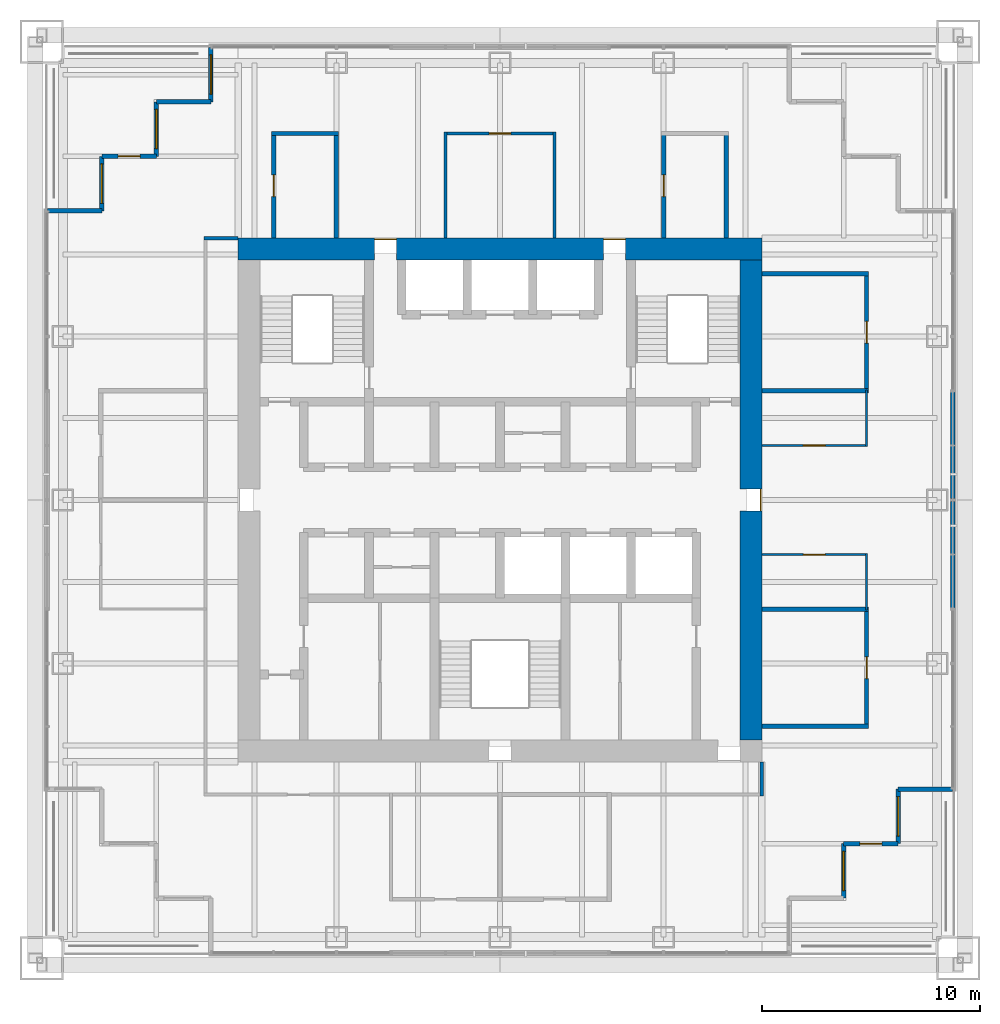
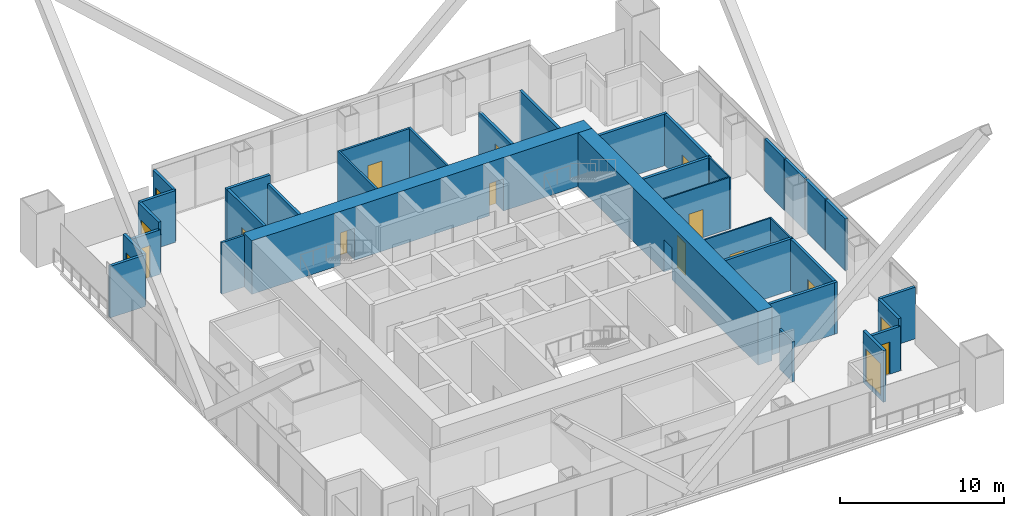
# One storey, part 14 of 17: 36 walls, 12 doors, 5 windows, 17 openings.
"""IFC4 building model written with IfcOpenShell, lengths in metres."""

from ifc_helpers import new_model, si_unit, direction, frame, frame_2d, origin, place, context, subcontext, project, spatial, rectangle, extrude, material, layer, layer_set, type_object, element, fill, save


model = new_model("IFC4")

# Units and contexts
model_context = context("Model", 3, precision=1e-05, world=origin(), true_north=direction((0.0, 1.0)))
body_context = subcontext(model_context, "Body", "Model", "MODEL_VIEW")
ifc_project = project(units=[si_unit("LENGTHUNIT", "METRE"), si_unit("AREAUNIT", "SQUARE_METRE"), si_unit("VOLUMEUNIT", "CUBIC_METRE"), si_unit("PLANEANGLEUNIT", "RADIAN"), si_unit("MASSUNIT", "GRAM", prefix="KILO")], contexts=[model_context])

# Site, building, storey
site_placement = place(None, origin())
site = spatial("IfcSite", under=ifc_project, at=site_placement, CompositionType="ELEMENT")
building_placement = place(site_placement, origin())
building = spatial("IfcBuilding", under=site, at=building_placement, Name="Tarangal Relay Tower", CompositionType="ELEMENT")
storey_placement = place(building_placement, frame((0.0, 0.0, 315.89990234375)))
storey = spatial("IfcBuildingStorey", under=building, at=storey_placement, Name="L70", CompositionType="ELEMENT", Elevation=315.89990234375)

# Walls
ifc_material_1 = material(Name="Two layers gypsum board each side on twin steel studs, mineral wool", Category="steel")
ifc_layer_1 = layer(ifc_material_1, 0.199951171875)
ifc_layer_set_1 = layer_set([ifc_layer_1], Name="Acoustic partition 200")
wall_type_1 = type_object("IfcWallType", Name="Acoustic partition 200", PredefinedType="PARTITIONING", material=ifc_layer_set_1)
for number, where, z_axis, x_axis, name in (
    (1, (12.0, -10.375, 0.0), (0.0, 0.0, 1.0), (1.0, 0.0, 0.0), "Partition PT2 L70"),
    (2, (12.0, -5.0, 0.0), (0.0, 0.0, 1.0), (1.0, 0.0, 0.0), "Partition PT2 L70"),
    (3, (12.0, 5.0, 0.0), (0.0, 0.0, 1.0), (1.0, 0.0, 0.0), "Partition PT2 L70"),
    (4, (12.0, 10.375, 0.0), (0.0, 0.0, 1.0), (1.0, 0.0, 0.0), "Partition PT2 L70"),
):
    element("IfcWall", number, at=place(storey_placement, frame(where, z_axis=z_axis, x_axis=x_axis)), inside=storey, type_object=wall_type_1, Name=name, PredefinedType="PARTITIONING", context=body_context, shape_type="SweptSolid", body=[
        extrude(rectangle(XDim=4.89990234375, YDim=0.199951171875, at=frame_2d((2.449951171875, 0.0))), origin(), (0.0, 0.0, 1.0), 3.85009765625),
    ])
wall_1_placement = place(storey_placement, frame((-10.47509765625, 16.800048828125, 0.0), z_axis=(0.0, 0.0, 1.0), x_axis=(1.0, 0.0, 0.0)))
element("IfcWall", 5, at=wall_1_placement, inside=storey, type_object=wall_type_1, Name="Partition PT2 L70", PredefinedType="PARTITIONING", context=body_context, shape_type="SweptSolid", body=[
    extrude(rectangle(XDim=3.0751953125, YDim=0.199951171875, at=frame_2d((1.53759765625, 0.0))), origin(), (0.0, 0.0, 1.0), 3.85009765625),
])

# Wall, opening, door
wall_2_placement = place(storey_placement, frame((-10.375, 12.0, 0.0), z_axis=(0.0, 0.0, 1.0), x_axis=(0.0, 1.0, 0.0)))
wall_2 = element("IfcWall", 6, at=wall_2_placement, inside=storey, type_object=wall_type_1, Name="Partition PT2 L70", PredefinedType="PARTITIONING", context=body_context, shape_type="SweptSolid", body=[
    extrude(rectangle(XDim=4.89990234375, YDim=0.199951171875, at=frame_2d((2.449951171875, 0.0))), origin(), (0.0, 0.0, 1.0), 3.85009765625),
])
opening_1_placement = place(wall_2_placement, frame((1.89990234375, 0.0, 0.0)))
opening_1 = element("IfcOpeningElement", 7, at=opening_1_placement, cuts=wall_2, Name="Opening D2", PredefinedType="OPENING", context=body_context, shape_type="SweptSolid", body=[
    extrude(rectangle(XDim=1.0, YDim=2.10009765625, at=frame_2d((0.5, 1.050048828125))), frame((0.0, 0.10986328125, 0.0), z_axis=(0.0, -1.0, 0.0), x_axis=(1.0, 0.0, 0.0)), (0.0, 0.0, 1.0), 0.219970703125),
])
ifc_material_2 = material(Name="Hardwood door", Category="wood")
door_type_1 = type_object("IfcDoorType", Name="Door 1000 x 2100", OperationType="SINGLE_SWING_LEFT", PredefinedType="DOOR", material=ifc_material_2)
door_1_placement = place(opening_1_placement, origin())
door_1 = element("IfcDoor", 8, at=door_1_placement, inside=storey, type_object=door_type_1, Name="Door D2 to phone room L70-02", OperationType="SINGLE_SWING_LEFT", OverallHeight=2.10009765625, OverallWidth=1.0, PredefinedType="DOOR", context=body_context, shape_type="SweptSolid", body=[
    extrude(rectangle(XDim=1.0, YDim=2.10009765625, at=frame_2d((0.5, 1.050048828125))), frame((0.0, 0.02490234375, 0.0), z_axis=(0.0, -1.0, 0.0), x_axis=(1.0, 0.0, 0.0)), (0.0, 0.0, 1.0), 0.050048828125),
])
fill(opening_1, door_1)

# Wall
wall_3_placement = place(storey_placement, frame((-7.5, 12.0, 0.0), z_axis=(0.0, 0.0, 1.0), x_axis=(0.0, 1.0, 0.0)))
element("IfcWall", 9, at=wall_3_placement, inside=storey, type_object=wall_type_1, Name="Partition PT2 L70", PredefinedType="PARTITIONING", context=body_context, shape_type="SweptSolid", body=[
    extrude(rectangle(XDim=4.89990234375, YDim=0.199951171875, at=frame_2d((2.449951171875, 0.0))), origin(), (0.0, 0.0, 1.0), 3.2431640625),
])

# Wall, opening, door
wall_4_placement = place(storey_placement, frame((7.5, 12.0, 0.0), z_axis=(0.0, 0.0, 1.0), x_axis=(0.0, 1.0, 0.0)))
wall_4 = element("IfcWall", 10, at=wall_4_placement, inside=storey, type_object=wall_type_1, Name="Partition PT2 L70", PredefinedType="PARTITIONING", context=body_context, shape_type="SweptSolid", body=[
    extrude(rectangle(XDim=4.89990234375, YDim=0.199951171875, at=frame_2d((2.449951171875, 0.0))), origin(), (0.0, 0.0, 1.0), 3.2431640625),
])
opening_2_placement = place(wall_4_placement, frame((1.89990234375, 0.0, 0.0)))
opening_2 = element("IfcOpeningElement", 11, at=opening_2_placement, cuts=wall_4, Name="Opening D2", PredefinedType="OPENING", context=body_context, shape_type="SweptSolid", body=[
    extrude(rectangle(XDim=1.0, YDim=2.10009765625, at=frame_2d((0.5, 1.050048828125))), frame((0.0, 0.10986328125, 0.0), z_axis=(0.0, -1.0, 0.0), x_axis=(1.0, 0.0, 0.0)), (0.0, 0.0, 1.0), 0.219970703125),
])
door_2_placement = place(opening_2_placement, origin())
door_2 = element("IfcDoor", 12, at=door_2_placement, inside=storey, type_object=door_type_1, Name="Door D2 to phone room L70-04", OperationType="SINGLE_SWING_LEFT", OverallHeight=2.10009765625, OverallWidth=1.0, PredefinedType="DOOR", context=body_context, shape_type="SweptSolid", body=[
    extrude(rectangle(XDim=1.0, YDim=2.10009765625, at=frame_2d((0.5, 1.050048828125))), frame((0.0, 0.02490234375, 0.0), z_axis=(0.0, -1.0, 0.0), x_axis=(1.0, 0.0, 0.0)), (0.0, 0.0, 1.0), 0.050048828125),
])
fill(opening_2, door_2)

# Wall
wall_5_placement = place(storey_placement, frame((10.375, 12.0, 0.0), z_axis=(0.0, 0.0, 1.0), x_axis=(0.0, 1.0, 0.0)))
element("IfcWall", 13, at=wall_5_placement, inside=storey, type_object=wall_type_1, Name="Partition PT2 L70", PredefinedType="PARTITIONING", context=body_context, shape_type="SweptSolid", body=[
    extrude(rectangle(XDim=4.89990234375, YDim=0.199951171875, at=frame_2d((2.449951171875, 0.0))), origin(), (0.0, 0.0, 1.0), 3.85009765625),
])

# Wall, opening, door
wall_6_placement = place(storey_placement, frame((16.800048828125, -10.47509765625, 0.0), z_axis=(0.0, 0.0, 1.0), x_axis=(0.0, 1.0, 0.0)))
wall_6 = element("IfcWall", 14, at=wall_6_placement, inside=storey, type_object=wall_type_1, Name="Partition PT2 L70", PredefinedType="PARTITIONING", context=body_context, shape_type="SweptSolid", body=[
    extrude(rectangle(XDim=5.5751953125, YDim=0.199951171875, at=frame_2d((2.78759765625, 0.0))), origin(), (0.0, 0.0, 1.0), 3.85009765625),
])
opening_3_placement = place(wall_6_placement, frame((2.28759765625, 0.0, 0.0)))
opening_3 = element("IfcOpeningElement", 15, at=opening_3_placement, cuts=wall_6, Name="Opening D2", PredefinedType="OPENING", context=body_context, shape_type="SweptSolid", body=[
    extrude(rectangle(XDim=1.0, YDim=2.10009765625, at=frame_2d((0.5, 1.050048828125))), frame((0.0, 0.10986328125, 0.0), z_axis=(0.0, -1.0, 0.0), x_axis=(1.0, 0.0, 0.0)), (0.0, 0.0, 1.0), 0.219970703125),
])
door_3_placement = place(opening_3_placement, origin())
door_3 = element("IfcDoor", 16, at=door_3_placement, inside=storey, type_object=door_type_1, Name="Door D2 to meeting room L70-08", OperationType="SINGLE_SWING_LEFT", OverallHeight=2.10009765625, OverallWidth=1.0, PredefinedType="DOOR", context=body_context, shape_type="SweptSolid", body=[
    extrude(rectangle(XDim=1.0, YDim=2.10009765625, at=frame_2d((0.5, 1.050048828125))), frame((0.0, 0.02490234375, 0.0), z_axis=(0.0, -1.0, 0.0), x_axis=(1.0, 0.0, 0.0)), (0.0, 0.0, 1.0), 0.050048828125),
])
fill(opening_3, door_3)

wall_7_placement = place(storey_placement, frame((16.800048828125, 4.89990234375, 0.0), z_axis=(0.0, 0.0, 1.0), x_axis=(0.0, 1.0, 0.0)))
wall_7 = element("IfcWall", 17, at=wall_7_placement, inside=storey, type_object=wall_type_1, Name="Partition PT2 L70", PredefinedType="PARTITIONING", context=body_context, shape_type="SweptSolid", body=[
    extrude(rectangle(XDim=5.5751953125, YDim=0.199951171875, at=frame_2d((2.78759765625, 0.0))), origin(), (0.0, 0.0, 1.0), 3.85009765625),
])
opening_4_placement = place(wall_7_placement, frame((2.28759765625, 0.0, 0.0)))
opening_4 = element("IfcOpeningElement", 18, at=opening_4_placement, cuts=wall_7, Name="Opening D2", PredefinedType="OPENING", context=body_context, shape_type="SweptSolid", body=[
    extrude(rectangle(XDim=1.0, YDim=2.10009765625, at=frame_2d((0.5, 1.050048828125))), frame((0.0, 0.10986328125, 0.0), z_axis=(0.0, -1.0, 0.0), x_axis=(1.0, 0.0, 0.0)), (0.0, 0.0, 1.0), 0.219970703125),
])
door_4_placement = place(opening_4_placement, origin())
door_4 = element("IfcDoor", 19, at=door_4_placement, inside=storey, type_object=door_type_1, Name="Door D2 to meeting room L70-05", OperationType="SINGLE_SWING_LEFT", OverallHeight=2.10009765625, OverallWidth=1.0, PredefinedType="DOOR", context=body_context, shape_type="SweptSolid", body=[
    extrude(rectangle(XDim=1.0, YDim=2.10009765625, at=frame_2d((0.5, 1.050048828125))), frame((0.0, 0.02490234375, 0.0), z_axis=(0.0, -1.0, 0.0), x_axis=(1.0, 0.0, 0.0)), (0.0, 0.0, 1.0), 0.050048828125),
])
fill(opening_4, door_4)

# Wall, openings, doors
ifc_material_3 = material(Name="Concrete fc' 60 MPa", Category="concrete")
ifc_layer_2 = layer(ifc_material_3, 1.0)
ifc_layer_set_2 = layer_set([ifc_layer_2], Name="Core wall 1000")
wall_type_2 = type_object("IfcWallType", Name="Core wall 1000", PredefinedType="SHEAR", material=ifc_layer_set_2)
wall_8_placement = place(storey_placement, frame((-12.0, 11.5, 0.0), z_axis=(0.0, 0.0, 1.0), x_axis=(1.0, 0.0, 0.0)))
wall_8 = element("IfcWall", 20, at=wall_8_placement, inside=storey, type_object=wall_type_2, Name="Core wall N L70", PredefinedType="SHEAR", context=body_context, shape_type="SweptSolid", body=[
    extrude(rectangle(XDim=24.0, YDim=1.0, at=frame_2d((12.0, 0.0))), origin(), (0.0, 0.0, 1.0), 4.0),
])
opening_5_placement = place(wall_8_placement, frame((6.25, 0.0, 0.0)))
opening_5 = element("IfcOpeningElement", 21, at=opening_5_placement, cuts=wall_8, Name="Opening FD3", PredefinedType="OPENING", context=body_context, shape_type="SweptSolid", body=[
    extrude(rectangle(XDim=1.0, YDim=2.39990234375, at=frame_2d((0.5, 1.199951171875))), frame((0.0, 0.510009765625, 0.0), z_axis=(0.0, -1.0, 0.0), x_axis=(1.0, 0.0, 0.0)), (0.0, 0.0, 1.0), 1.02001953125),
])
opening_6_placement = place(wall_8_placement, frame((16.75, 0.0, 0.0)))
opening_6 = element("IfcOpeningElement", 22, at=opening_6_placement, cuts=wall_8, Name="Opening FD3", PredefinedType="OPENING", context=body_context, shape_type="SweptSolid", body=[
    extrude(rectangle(XDim=1.0, YDim=2.39990234375, at=frame_2d((0.5, 1.199951171875))), frame((0.0, 0.510009765625, 0.0), z_axis=(0.0, -1.0, 0.0), x_axis=(1.0, 0.0, 0.0)), (0.0, 0.0, 1.0), 1.02001953125),
])
ifc_material_4 = material(Name="Steel door with hardwood frame", Category="steel")
door_type_2 = type_object("IfcDoorType", Name="Fire door 1000 x 2400 core entry", OperationType="SINGLE_SWING_RIGHT", PredefinedType="DOOR", material=ifc_material_4)
door_5_placement = place(opening_5_placement, origin())
door_5 = element("IfcDoor", 23, at=door_5_placement, inside=storey, type_object=door_type_2, Name="Core entry door north west L70", OperationType="SINGLE_SWING_RIGHT", OverallHeight=2.39990234375, OverallWidth=1.0, PredefinedType="DOOR", context=body_context, shape_type="SweptSolid", body=[
    extrude(rectangle(XDim=1.0, YDim=2.39990234375, at=frame_2d((0.5, 1.199951171875))), frame((0.0, 0.48486328125, 0.0), z_axis=(0.0, -1.0, 0.0), x_axis=(1.0, 0.0, 0.0)), (0.0, 0.0, 1.0), 0.050048828125),
])
fill(opening_5, door_5)
door_6_placement = place(opening_6_placement, origin())
door_6 = element("IfcDoor", 24, at=door_6_placement, inside=storey, type_object=door_type_2, Name="Core entry door north east L70", OperationType="SINGLE_SWING_RIGHT", OverallHeight=2.39990234375, OverallWidth=1.0, PredefinedType="DOOR", context=body_context, shape_type="SweptSolid", body=[
    extrude(rectangle(XDim=1.0, YDim=2.39990234375, at=frame_2d((0.5, 1.199951171875))), frame((0.0, 0.48486328125, 0.0), z_axis=(0.0, -1.0, 0.0), x_axis=(1.0, 0.0, 0.0)), (0.0, 0.0, 1.0), 0.050048828125),
])
fill(opening_6, door_6)

# Wall, opening, door
wall_9_placement = place(storey_placement, frame((11.5, 11.0, 0.0), z_axis=(0.0, 0.0, 1.0), x_axis=(0.0, -1.0, 0.0)))
wall_9 = element("IfcWall", 25, at=wall_9_placement, inside=storey, type_object=wall_type_2, Name="Core wall E L70", PredefinedType="SHEAR", context=body_context, shape_type="SweptSolid", body=[
    extrude(rectangle(XDim=22.0, YDim=1.0, at=frame_2d((11.0, 0.0))), origin(), (0.0, 0.0, 1.0), 4.0),
])
opening_7_placement = place(wall_9_placement, frame((10.5, 0.0, 0.0)))
opening_7 = element("IfcOpeningElement", 26, at=opening_7_placement, cuts=wall_9, Name="Opening FD3", PredefinedType="OPENING", context=body_context, shape_type="SweptSolid", body=[
    extrude(rectangle(XDim=1.0, YDim=2.39990234375, at=frame_2d((0.5, 1.199951171875))), frame((0.0, 0.510009765625, 0.0), z_axis=(0.0, -1.0, 0.0), x_axis=(1.0, 0.0, 0.0)), (0.0, 0.0, 1.0), 1.02001953125),
])
door_7_placement = place(opening_7_placement, origin())
door_7 = element("IfcDoor", 27, at=door_7_placement, inside=storey, type_object=door_type_2, Name="Core entry door east L70", OperationType="SINGLE_SWING_RIGHT", OverallHeight=2.39990234375, OverallWidth=1.0, PredefinedType="DOOR", context=body_context, shape_type="SweptSolid", body=[
    extrude(rectangle(XDim=1.0, YDim=2.39990234375, at=frame_2d((0.5, 1.199951171875))), frame((0.0, 0.48486328125, 0.0), z_axis=(0.0, -1.0, 0.0), x_axis=(1.0, 0.0, 0.0)), (0.0, 0.0, 1.0), 0.050048828125),
])
fill(opening_7, door_7)

# Wall
ifc_material_5 = material(Name="Black metal clad insulated wall", Category="steel")
ifc_layer_3 = layer(ifc_material_5, 0.199951171875)
ifc_layer_set_3 = layer_set([ifc_layer_3], Name="Corner wall metal clad 200")
wall_type_3 = type_object("IfcWallType", Name="Corner wall metal clad 200", PredefinedType="SOLIDWALL", material=ifc_layer_set_3)
wall_10_placement = place(storey_placement, frame((20.75, -13.25, 0.0), z_axis=(0.0, 0.0, 1.0), x_axis=(-1.0, 0.0, 0.0)))
element("IfcWall", 28, at=wall_10_placement, inside=storey, type_object=wall_type_3, Name="Facade wall E facade L70", PredefinedType="SOLIDWALL", context=body_context, shape_type="SweptSolid", body=[
    extrude(rectangle(XDim=2.5, YDim=0.199951171875, at=frame_2d((1.25, 0.0))), origin(), (0.0, 0.0, 1.0), 3.85009765625),
])

# Wall, opening, window
wall_11_placement = place(storey_placement, frame((18.25, -13.25, 0.0), z_axis=(0.0, 0.0, 1.0), x_axis=(0.0, -1.0, 0.0)))
wall_11 = element("IfcWall", 29, at=wall_11_placement, inside=storey, type_object=wall_type_3, Name="Facade wall E facade L70", PredefinedType="SOLIDWALL", context=body_context, shape_type="SweptSolid", body=[
    extrude(rectangle(XDim=2.5, YDim=0.199951171875, at=frame_2d((1.25, 0.0))), origin(), (0.0, 0.0, 1.0), 3.85009765625),
])
opening_8_placement = place(wall_11_placement, frame((0.35009765625, 0.0, 0.300048828125)))
opening_8 = element("IfcOpeningElement", 30, at=opening_8_placement, cuts=wall_11, Name="Opening WN2", PredefinedType="OPENING", context=body_context, shape_type="SweptSolid", body=[
    extrude(rectangle(XDim=1.800048828125, YDim=2.39990234375, at=frame_2d((0.89990234375, 1.199951171875))), frame((0.0, 0.10986328125, 0.0), z_axis=(0.0, -1.0, 0.0), x_axis=(1.0, 0.0, 0.0)), (0.0, 0.0, 1.0), 0.219970703125),
])
ifc_material_6 = material(Name="Dark tinted double glazing in black aluminium frame", Category="aluminium")
window_type = type_object("IfcWindowType", Name="Corner window 1800 x 2400", PartitioningType="SINGLE_PANEL", PredefinedType="WINDOW", material=ifc_material_6)
window_1_placement = place(opening_8_placement, origin())
window_1 = element("IfcWindow", 31, at=window_1_placement, inside=storey, type_object=window_type, Name="Corner window WN2 E facade L70", OverallHeight=2.39990234375, OverallWidth=1.800048828125, PartitioningType="SINGLE_PANEL", PredefinedType="WINDOW", context=body_context, shape_type="SweptSolid", body=[
    extrude(rectangle(XDim=1.800048828125, YDim=2.39990234375, at=frame_2d((0.89990234375, 1.199951171875))), frame((0.0, 0.030029296875, 0.0), z_axis=(0.0, -1.0, 0.0), x_axis=(1.0, 0.0, 0.0)), (0.0, 0.0, 1.0), 0.06005859375),
])
fill(opening_8, window_1)

# Wall, opening, door
wall_12_placement = place(storey_placement, frame((18.25, -15.75, 0.0), z_axis=(0.0, 0.0, 1.0), x_axis=(-1.0, 0.0, 0.0)))
wall_12 = element("IfcWall", 32, at=wall_12_placement, inside=storey, type_object=wall_type_3, Name="Facade wall E facade L70", PredefinedType="SOLIDWALL", context=body_context, shape_type="SweptSolid", body=[
    extrude(rectangle(XDim=2.5, YDim=0.199951171875, at=frame_2d((1.25, 0.0))), origin(), (0.0, 0.0, 1.0), 3.316650390625),
])
opening_9_placement = place(wall_12_placement, frame((0.75, 0.0, 0.0)))
opening_9 = element("IfcOpeningElement", 33, at=opening_9_placement, cuts=wall_12, Name="Opening TD1", PredefinedType="OPENING", context=body_context, shape_type="SweptSolid", body=[
    extrude(rectangle(XDim=1.0, YDim=2.39990234375, at=frame_2d((0.5, 1.199951171875))), frame((0.0, 0.10986328125, 0.0), z_axis=(0.0, -1.0, 0.0), x_axis=(1.0, 0.0, 0.0)), (0.0, 0.0, 1.0), 0.219970703125),
])
ifc_material_7 = material(Name="Aluminium glazed door", Category="aluminium")
door_type_3 = type_object("IfcDoorType", Name="Terrace door 1000 x 2400", OperationType="SINGLE_SWING_RIGHT", PredefinedType="DOOR", material=ifc_material_7)
door_8_placement = place(opening_9_placement, origin())
door_8 = element("IfcDoor", 34, at=door_8_placement, inside=storey, type_object=door_type_3, Name="Terrace door TD1 SE L70", OperationType="SINGLE_SWING_RIGHT", OverallHeight=2.39990234375, OverallWidth=1.0, PredefinedType="DOOR", context=body_context, shape_type="SweptSolid", body=[
    extrude(rectangle(XDim=1.0, YDim=2.39990234375, at=frame_2d((0.5, 1.199951171875))), frame((0.0, 0.02490234375, 0.0), z_axis=(0.0, -1.0, 0.0), x_axis=(1.0, 0.0, 0.0)), (0.0, 0.0, 1.0), 0.050048828125),
])
fill(opening_9, door_8)

# Wall, opening, window
wall_13_placement = place(storey_placement, frame((15.75, -15.75, 0.0), z_axis=(0.0, 0.0, 1.0), x_axis=(0.0, -1.0, 0.0)))
wall_13 = element("IfcWall", 35, at=wall_13_placement, inside=storey, type_object=wall_type_3, Name="Facade wall E facade L70", PredefinedType="SOLIDWALL", context=body_context, shape_type="SweptSolid", body=[
    extrude(rectangle(XDim=2.5, YDim=0.199951171875, at=frame_2d((1.25, 0.0))), origin(), (0.0, 0.0, 1.0), 3.85009765625),
])
opening_10_placement = place(wall_13_placement, frame((0.35009765625, 0.0, 0.300048828125)))
opening_10 = element("IfcOpeningElement", 36, at=opening_10_placement, cuts=wall_13, Name="Opening WN2", PredefinedType="OPENING", context=body_context, shape_type="SweptSolid", body=[
    extrude(rectangle(XDim=1.800048828125, YDim=2.39990234375, at=frame_2d((0.89990234375, 1.199951171875))), frame((0.0, 0.10986328125, 0.0), z_axis=(0.0, -1.0, 0.0), x_axis=(1.0, 0.0, 0.0)), (0.0, 0.0, 1.0), 0.219970703125),
])
window_2_placement = place(opening_10_placement, origin())
window_2 = element("IfcWindow", 37, at=window_2_placement, inside=storey, type_object=window_type, Name="Corner window WN2 E facade L70", OverallHeight=2.39990234375, OverallWidth=1.800048828125, PartitioningType="SINGLE_PANEL", PredefinedType="WINDOW", context=body_context, shape_type="SweptSolid", body=[
    extrude(rectangle(XDim=1.800048828125, YDim=2.39990234375, at=frame_2d((0.89990234375, 1.199951171875))), frame((0.0, 0.030029296875, 0.0), z_axis=(0.0, -1.0, 0.0), x_axis=(1.0, 0.0, 0.0)), (0.0, 0.0, 1.0), 0.06005859375),
])
fill(opening_10, window_2)

# Wall
wall_14_placement = place(storey_placement, frame((-20.75, 13.25, 0.0), z_axis=(0.0, 0.0, 1.0), x_axis=(1.0, 0.0, 0.0)))
element("IfcWall", 38, at=wall_14_placement, inside=storey, type_object=wall_type_3, Name="Facade wall W facade L70", PredefinedType="SOLIDWALL", context=body_context, shape_type="SweptSolid", body=[
    extrude(rectangle(XDim=2.5, YDim=0.199951171875, at=frame_2d((1.25, 0.0))), origin(), (0.0, 0.0, 1.0), 3.85009765625),
])

# Wall, opening, window
wall_15_placement = place(storey_placement, frame((-18.25, 13.25, 0.0), z_axis=(0.0, 0.0, 1.0), x_axis=(0.0, 1.0, 0.0)))
wall_15 = element("IfcWall", 39, at=wall_15_placement, inside=storey, type_object=wall_type_3, Name="Facade wall W facade L70", PredefinedType="SOLIDWALL", context=body_context, shape_type="SweptSolid", body=[
    extrude(rectangle(XDim=2.5, YDim=0.199951171875, at=frame_2d((1.25, 0.0))), origin(), (0.0, 0.0, 1.0), 3.85009765625),
])
opening_11_placement = place(wall_15_placement, frame((0.35009765625, 0.0, 0.300048828125)))
opening_11 = element("IfcOpeningElement", 40, at=opening_11_placement, cuts=wall_15, Name="Opening WN2", PredefinedType="OPENING", context=body_context, shape_type="SweptSolid", body=[
    extrude(rectangle(XDim=1.800048828125, YDim=2.39990234375, at=frame_2d((0.89990234375, 1.199951171875))), frame((0.0, 0.10986328125, 0.0), z_axis=(0.0, -1.0, 0.0), x_axis=(1.0, 0.0, 0.0)), (0.0, 0.0, 1.0), 0.219970703125),
])
window_3_placement = place(opening_11_placement, origin())
window_3 = element("IfcWindow", 41, at=window_3_placement, inside=storey, type_object=window_type, Name="Corner window WN2 W facade L70", OverallHeight=2.39990234375, OverallWidth=1.800048828125, PartitioningType="SINGLE_PANEL", PredefinedType="WINDOW", context=body_context, shape_type="SweptSolid", body=[
    extrude(rectangle(XDim=1.800048828125, YDim=2.39990234375, at=frame_2d((0.89990234375, 1.199951171875))), frame((0.0, 0.030029296875, 0.0), z_axis=(0.0, -1.0, 0.0), x_axis=(1.0, 0.0, 0.0)), (0.0, 0.0, 1.0), 0.06005859375),
])
fill(opening_11, window_3)

# Wall, opening, door
wall_16_placement = place(storey_placement, frame((-18.25, 15.75, 0.0), z_axis=(0.0, 0.0, 1.0), x_axis=(1.0, 0.0, 0.0)))
wall_16 = element("IfcWall", 42, at=wall_16_placement, inside=storey, type_object=wall_type_3, Name="Facade wall W facade L70", PredefinedType="SOLIDWALL", context=body_context, shape_type="SweptSolid", body=[
    extrude(rectangle(XDim=2.5, YDim=0.199951171875, at=frame_2d((1.25, 0.0))), origin(), (0.0, 0.0, 1.0), 3.316650390625),
])
opening_12_placement = place(wall_16_placement, frame((0.75, 0.0, 0.0)))
opening_12 = element("IfcOpeningElement", 43, at=opening_12_placement, cuts=wall_16, Name="Opening TD1", PredefinedType="OPENING", context=body_context, shape_type="SweptSolid", body=[
    extrude(rectangle(XDim=1.0, YDim=2.39990234375, at=frame_2d((0.5, 1.199951171875))), frame((0.0, 0.10986328125, 0.0), z_axis=(0.0, -1.0, 0.0), x_axis=(1.0, 0.0, 0.0)), (0.0, 0.0, 1.0), 0.219970703125),
])
door_9_placement = place(opening_12_placement, origin())
door_9 = element("IfcDoor", 44, at=door_9_placement, inside=storey, type_object=door_type_3, Name="Terrace door TD1 NW L70", OperationType="SINGLE_SWING_RIGHT", OverallHeight=2.39990234375, OverallWidth=1.0, PredefinedType="DOOR", context=body_context, shape_type="SweptSolid", body=[
    extrude(rectangle(XDim=1.0, YDim=2.39990234375, at=frame_2d((0.5, 1.199951171875))), frame((0.0, 0.02490234375, 0.0), z_axis=(0.0, -1.0, 0.0), x_axis=(1.0, 0.0, 0.0)), (0.0, 0.0, 1.0), 0.050048828125),
])
fill(opening_12, door_9)

# Wall, opening, window
wall_17_placement = place(storey_placement, frame((-15.75, 15.75, 0.0), z_axis=(0.0, 0.0, 1.0), x_axis=(0.0, 1.0, 0.0)))
wall_17 = element("IfcWall", 45, at=wall_17_placement, inside=storey, type_object=wall_type_3, Name="Facade wall W facade L70", PredefinedType="SOLIDWALL", context=body_context, shape_type="SweptSolid", body=[
    extrude(rectangle(XDim=2.5, YDim=0.199951171875, at=frame_2d((1.25, 0.0))), origin(), (0.0, 0.0, 1.0), 3.85009765625),
])
opening_13_placement = place(wall_17_placement, frame((0.35009765625, 0.0, 0.300048828125)))
opening_13 = element("IfcOpeningElement", 46, at=opening_13_placement, cuts=wall_17, Name="Opening WN2", PredefinedType="OPENING", context=body_context, shape_type="SweptSolid", body=[
    extrude(rectangle(XDim=1.800048828125, YDim=2.39990234375, at=frame_2d((0.89990234375, 1.199951171875))), frame((0.0, 0.10986328125, 0.0), z_axis=(0.0, -1.0, 0.0), x_axis=(1.0, 0.0, 0.0)), (0.0, 0.0, 1.0), 0.219970703125),
])
window_4_placement = place(opening_13_placement, origin())
window_4 = element("IfcWindow", 47, at=window_4_placement, inside=storey, type_object=window_type, Name="Corner window WN2 W facade L70", OverallHeight=2.39990234375, OverallWidth=1.800048828125, PartitioningType="SINGLE_PANEL", PredefinedType="WINDOW", context=body_context, shape_type="SweptSolid", body=[
    extrude(rectangle(XDim=1.800048828125, YDim=2.39990234375, at=frame_2d((0.89990234375, 1.199951171875))), frame((0.0, 0.030029296875, 0.0), z_axis=(0.0, -1.0, 0.0), x_axis=(1.0, 0.0, 0.0)), (0.0, 0.0, 1.0), 0.06005859375),
])
fill(opening_13, window_4)

# Wall
wall_18_placement = place(storey_placement, frame((-15.75, 18.25, 0.0), z_axis=(0.0, 0.0, 1.0), x_axis=(1.0, 0.0, 0.0)))
element("IfcWall", 48, at=wall_18_placement, inside=storey, type_object=wall_type_3, Name="Facade wall W facade L70", PredefinedType="SOLIDWALL", context=body_context, shape_type="SweptSolid", body=[
    extrude(rectangle(XDim=2.5, YDim=0.199951171875, at=frame_2d((1.25, 0.0))), origin(), (0.0, 0.0, 1.0), 3.85009765625),
])

# Wall, opening, window
wall_19_placement = place(storey_placement, frame((-13.25, 18.25, 0.0), z_axis=(0.0, 0.0, 1.0), x_axis=(0.0, 1.0, 0.0)))
wall_19 = element("IfcWall", 49, at=wall_19_placement, inside=storey, type_object=wall_type_3, Name="Facade wall W facade L70", PredefinedType="SOLIDWALL", context=body_context, shape_type="SweptSolid", body=[
    extrude(rectangle(XDim=2.5, YDim=0.199951171875, at=frame_2d((1.25, 0.0))), origin(), (0.0, 0.0, 1.0), 3.85009765625),
])
opening_14_placement = place(wall_19_placement, frame((0.35009765625, 0.0, 0.300048828125)))
opening_14 = element("IfcOpeningElement", 50, at=opening_14_placement, cuts=wall_19, Name="Opening WN2", PredefinedType="OPENING", context=body_context, shape_type="SweptSolid", body=[
    extrude(rectangle(XDim=1.800048828125, YDim=2.39990234375, at=frame_2d((0.89990234375, 1.199951171875))), frame((0.0, 0.10986328125, 0.0), z_axis=(0.0, -1.0, 0.0), x_axis=(1.0, 0.0, 0.0)), (0.0, 0.0, 1.0), 0.219970703125),
])
window_5_placement = place(opening_14_placement, origin())
window_5 = element("IfcWindow", 51, at=window_5_placement, inside=storey, type_object=window_type, Name="Corner window WN2 W facade L70", OverallHeight=2.39990234375, OverallWidth=1.800048828125, PartitioningType="SINGLE_PANEL", PredefinedType="WINDOW", context=body_context, shape_type="SweptSolid", body=[
    extrude(rectangle(XDim=1.800048828125, YDim=2.39990234375, at=frame_2d((0.89990234375, 1.199951171875))), frame((0.0, 0.030029296875, 0.0), z_axis=(0.0, -1.0, 0.0), x_axis=(1.0, 0.0, 0.0)), (0.0, 0.0, 1.0), 0.06005859375),
])
fill(opening_14, window_5)

# Walls
ifc_layer_4 = layer(ifc_material_5, 0.199951171875)
ifc_layer_set_4 = layer_set([ifc_layer_4], Name="Facade infill wall metal clad 200")
wall_type_4 = type_object("IfcWallType", Name="Facade infill wall metal clad 200", PredefinedType="SOLIDWALL", material=ifc_layer_set_4)
for number, where, z_axis, x_axis, name in (
    (52, (20.75, 4.93994140625, 0.0), (0.0, 0.0, 1.0), (0.0, -1.0, 0.0), "Facade infill wall E facade L70 1.1"),
    (53, (20.75, 2.469970703125, 0.0), (0.0, 0.0, 1.0), (0.0, -1.0, 0.0), "Facade infill wall E facade L70 2.1"),
    (54, (20.75, -0.06005859375, 0.0), (0.0, 0.0, 1.0), (0.0, -1.0, 0.0), "Facade infill wall E facade L70 1.1"),
    (55, (20.75, -2.530029296875, 0.0), (0.0, 0.0, 1.0), (0.0, -1.0, 0.0), "Facade infill wall E facade L70 2.1"),
):
    element("IfcWall", number, at=place(storey_placement, frame(where, z_axis=z_axis, x_axis=x_axis)), inside=storey, type_object=wall_type_4, Name=name, PredefinedType="SOLIDWALL", context=body_context, shape_type="SweptSolid", body=[
        extrude(rectangle(XDim=2.409912109375, YDim=0.199951171875, at=frame_2d((1.205078125, 0.0))), origin(), (0.0, 0.0, 1.0), 3.85009765625),
    ])

# Wall, opening, door
ifc_material_8 = material(Name="Double glazed aluminium framed partition", Category="aluminium")
ifc_layer_5 = layer(ifc_material_8, 0.10009765625)
ifc_layer_set_5 = layer_set([ifc_layer_5], Name="Glazed partition 100")
wall_type_5 = type_object("IfcWallType", Name="Glazed partition 100", PredefinedType="PARTITIONING", material=ifc_layer_set_5)
wall_20_placement = place(storey_placement, frame((12.0, -2.5, 0.0), z_axis=(0.0, 0.0, 1.0), x_axis=(1.0, 0.0, 0.0)))
wall_20 = element("IfcWall", 56, at=wall_20_placement, inside=storey, type_object=wall_type_5, Name="Partition PT3 L70", PredefinedType="PARTITIONING", context=body_context, shape_type="SweptSolid", body=[
    extrude(rectangle(XDim=4.85009765625, YDim=0.10009765625, at=frame_2d((2.425048828125, 0.0))), origin(), (0.0, 0.0, 1.0), 3.85009765625),
])
opening_15_placement = place(wall_20_placement, frame((1.89990234375, 0.0, 0.0)))
opening_15 = element("IfcOpeningElement", 57, at=opening_15_placement, cuts=wall_20, Name="Opening D3", PredefinedType="OPENING", context=body_context, shape_type="SweptSolid", body=[
    extrude(rectangle(XDim=1.0, YDim=2.10009765625, at=frame_2d((0.5, 1.050048828125))), frame((0.0, 0.06005859375, 0.0), z_axis=(0.0, -1.0, 0.0), x_axis=(1.0, 0.0, 0.0)), (0.0, 0.0, 1.0), 0.1201171875),
])
ifc_material_9 = material(Name="Frameless glass door", Category="glass")
door_type_4 = type_object("IfcDoorType", Name="Glazed door 1000 x 2100", OperationType="SINGLE_SWING_LEFT", PredefinedType="DOOR", material=ifc_material_9)
door_10_placement = place(opening_15_placement, origin())
door_10 = element("IfcDoor", 58, at=door_10_placement, inside=storey, type_object=door_type_4, Name="Door D3 to meeting room L70-07", OperationType="SINGLE_SWING_LEFT", OverallHeight=2.10009765625, OverallWidth=1.0, PredefinedType="DOOR", context=body_context, shape_type="SweptSolid", body=[
    extrude(rectangle(XDim=1.0, YDim=2.10009765625, at=frame_2d((0.5, 1.050048828125))), frame((0.0, 0.02490234375, 0.0), z_axis=(0.0, -1.0, 0.0), x_axis=(1.0, 0.0, 0.0)), (0.0, 0.0, 1.0), 0.050048828125),
])
fill(opening_15, door_10)

wall_21_placement = place(storey_placement, frame((12.0, 2.5, 0.0), z_axis=(0.0, 0.0, 1.0), x_axis=(1.0, 0.0, 0.0)))
wall_21 = element("IfcWall", 59, at=wall_21_placement, inside=storey, type_object=wall_type_5, Name="Partition PT3 L70", PredefinedType="PARTITIONING", context=body_context, shape_type="SweptSolid", body=[
    extrude(rectangle(XDim=4.85009765625, YDim=0.10009765625, at=frame_2d((2.425048828125, 0.0))), origin(), (0.0, 0.0, 1.0), 3.85009765625),
])
opening_16_placement = place(wall_21_placement, frame((1.89990234375, 0.0, 0.0)))
opening_16 = element("IfcOpeningElement", 60, at=opening_16_placement, cuts=wall_21, Name="Opening D3", PredefinedType="OPENING", context=body_context, shape_type="SweptSolid", body=[
    extrude(rectangle(XDim=1.0, YDim=2.10009765625, at=frame_2d((0.5, 1.050048828125))), frame((0.0, 0.06005859375, 0.0), z_axis=(0.0, -1.0, 0.0), x_axis=(1.0, 0.0, 0.0)), (0.0, 0.0, 1.0), 0.1201171875),
])
door_11_placement = place(opening_16_placement, origin())
door_11 = element("IfcDoor", 61, at=door_11_placement, inside=storey, type_object=door_type_4, Name="Door D3 to meeting room L70-06", OperationType="SINGLE_SWING_LEFT", OverallHeight=2.10009765625, OverallWidth=1.0, PredefinedType="DOOR", context=body_context, shape_type="SweptSolid", body=[
    extrude(rectangle(XDim=1.0, YDim=2.10009765625, at=frame_2d((0.5, 1.050048828125))), frame((0.0, 0.02490234375, 0.0), z_axis=(0.0, -1.0, 0.0), x_axis=(1.0, 0.0, 0.0)), (0.0, 0.0, 1.0), 0.050048828125),
])
fill(opening_16, door_11)

# Walls
for number, where, z_axis, x_axis, name in (
    (62, (16.800048828125, -5.050048828125, 0.0), (0.0, 0.0, 1.0), (0.0, 1.0, 0.0), "Partition PT3 L70"),
    (63, (16.800048828125, 2.449951171875, 0.0), (0.0, 0.0, 1.0), (0.0, 1.0, 0.0), "Partition PT3 L70"),
):
    element("IfcWall", number, at=place(storey_placement, frame(where, z_axis=z_axis, x_axis=x_axis)), inside=storey, type_object=wall_type_5, Name=name, PredefinedType="PARTITIONING", context=body_context, shape_type="SweptSolid", body=[
        extrude(rectangle(XDim=2.60009765625, YDim=0.10009765625, at=frame_2d((1.300048828125, 0.0))), origin(), (0.0, 0.0, 1.0), 3.85009765625),
    ])
ifc_material_10 = material(Name="Gypsum board on steel studs", Category="steel")
ifc_layer_6 = layer(ifc_material_10, 0.14990234375)
ifc_layer_set_6 = layer_set([ifc_layer_6], Name="Partition 150")
wall_type_6 = type_object("IfcWallType", Name="Partition 150", PredefinedType="PARTITIONING", material=ifc_layer_set_6)
wall_22_placement = place(storey_placement, frame((-13.574951171875, 12.0, 0.0), z_axis=(0.0, 0.0, 1.0), x_axis=(1.0, 0.0, 0.0)))
element("IfcWall", 64, at=wall_22_placement, inside=storey, type_object=wall_type_6, Name="Partition PT1 L70", PredefinedType="PARTITIONING", context=body_context, shape_type="SweptSolid", body=[
    extrude(rectangle(XDim=1.574951171875, YDim=0.14990234375, at=frame_2d((0.78759765625, 0.0))), origin(), (0.0, 0.0, 1.0), 3.85009765625),
])

# Wall, opening, door
wall_23_placement = place(storey_placement, frame((-2.574951171875, 16.800048828125, 0.0), z_axis=(0.0, 0.0, 1.0), x_axis=(1.0, 0.0, 0.0)))
wall_23 = element("IfcWall", 65, at=wall_23_placement, inside=storey, type_object=wall_type_6, Name="Partition PT1 L70", PredefinedType="PARTITIONING", context=body_context, shape_type="SweptSolid", body=[
    extrude(rectangle(XDim=5.14990234375, YDim=0.14990234375, at=frame_2d((2.574951171875, 0.0))), origin(), (0.0, 0.0, 1.0), 3.85009765625),
])
opening_17_placement = place(wall_23_placement, frame((2.074951171875, 0.0, 0.0)))
opening_17 = element("IfcOpeningElement", 66, at=opening_17_placement, cuts=wall_23, Name="Opening D2", PredefinedType="OPENING", context=body_context, shape_type="SweptSolid", body=[
    extrude(rectangle(XDim=1.0, YDim=2.10009765625, at=frame_2d((0.5, 1.050048828125))), frame((0.0, 0.0849609375, 0.0), z_axis=(0.0, -1.0, 0.0), x_axis=(1.0, 0.0, 0.0)), (0.0, 0.0, 1.0), 0.169921875),
])
door_12_placement = place(opening_17_placement, origin())
door_12 = element("IfcDoor", 67, at=door_12_placement, inside=storey, type_object=door_type_1, Name="Door D2 to tea pantry L70-03", OperationType="SINGLE_SWING_LEFT", OverallHeight=2.10009765625, OverallWidth=1.0, PredefinedType="DOOR", context=body_context, shape_type="SweptSolid", body=[
    extrude(rectangle(XDim=1.0, YDim=2.10009765625, at=frame_2d((0.5, 1.050048828125))), frame((0.0, 0.02490234375, 0.0), z_axis=(0.0, -1.0, 0.0), x_axis=(1.0, 0.0, 0.0)), (0.0, 0.0, 1.0), 0.050048828125),
])
fill(opening_17, door_12)

# Walls
for number, where, z_axis, x_axis, name in (
    (68, (-2.5, 12.0, 0.0), (0.0, 0.0, 1.0), (0.0, 1.0, 0.0), "Partition PT1 L70"),
    (69, (2.5, 12.0, 0.0), (0.0, 0.0, 1.0), (0.0, 1.0, 0.0), "Partition PT1 L70"),
):
    element("IfcWall", number, at=place(storey_placement, frame(where, z_axis=z_axis, x_axis=x_axis)), inside=storey, type_object=wall_type_6, Name=name, PredefinedType="PARTITIONING", context=body_context, shape_type="SweptSolid", body=[
        extrude(rectangle(XDim=4.875, YDim=0.14990234375, at=frame_2d((2.4375, 0.0))), origin(), (0.0, 0.0, 1.0), 3.85009765625),
    ])
wall_24_placement = place(storey_placement, frame((12.0, -13.574951171875, 0.0), z_axis=(0.0, 0.0, 1.0), x_axis=(0.0, 1.0, 0.0)))
element("IfcWall", 70, at=wall_24_placement, inside=storey, type_object=wall_type_6, Name="Partition PT1 L70", PredefinedType="PARTITIONING", context=body_context, shape_type="SweptSolid", body=[
    extrude(rectangle(XDim=1.574951171875, YDim=0.14990234375, at=frame_2d((0.78759765625, 0.0))), origin(), (0.0, 0.0, 1.0), 3.009521484375),
])

save(model, "model.ifc")
